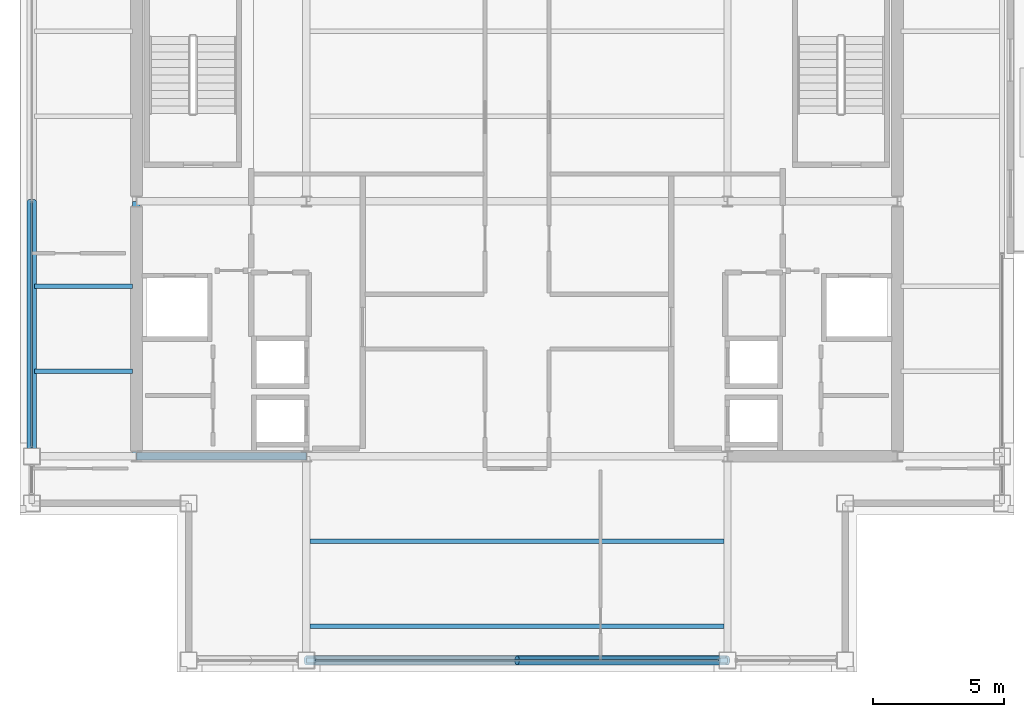
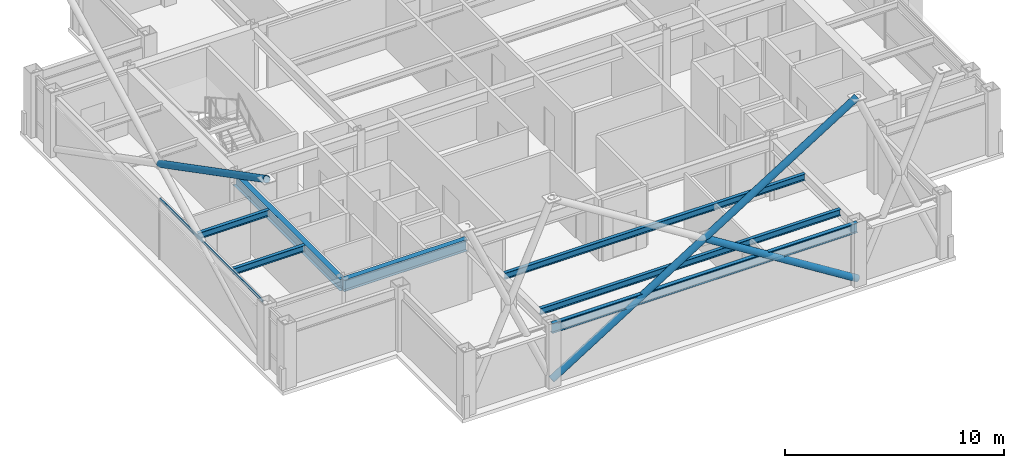
# One storey, part 7 of 28: 7 beams, 5 members, 2 elements without a shape of their own.
"""IFC4 building model written with IfcOpenShell, lengths in metres."""

from ifc_helpers import new_model, si_unit, direction, frame, origin, origin_2d, place, context, subcontext, project, spatial, hollow_rectangle, hollow_circle, i_section, extrude, material, layer, layer_set, material_profile, profile_set, type_object, element, aggregate, save


model = new_model("IFC4")

# Units and contexts
model_context = context("Model", 3, precision=1e-05, world=origin(), true_north=direction((0.0, 1.0)))
body_context = subcontext(model_context, "Body", "Model", "MODEL_VIEW")
ifc_project = project(units=[si_unit("LENGTHUNIT", "METRE"), si_unit("AREAUNIT", "SQUARE_METRE"), si_unit("VOLUMEUNIT", "CUBIC_METRE"), si_unit("PLANEANGLEUNIT", "RADIAN"), si_unit("MASSUNIT", "GRAM", prefix="KILO")], contexts=[model_context])

# Site, building, storey
site_placement = place(None, origin())
site = spatial("IfcSite", under=ifc_project, at=site_placement, CompositionType="ELEMENT")
building_placement = place(site_placement, origin())
building = spatial("IfcBuilding", under=site, at=building_placement, Name="Brelmoor Portico Tower", CompositionType="ELEMENT")
storey_placement = place(building_placement, frame((0.0, 0.0, 225.60009765625)))
storey = spatial("IfcBuildingStorey", under=building, at=storey_placement, Name="L59", CompositionType="ELEMENT", Elevation=225.60009765625)

# Beams
ifc_material_1 = material(Name="Steel Q355B", Category="steel")
ifc_material_profile_1 = material_profile(ifc_material_1, i_section(OverallWidth=0.175048828125, OverallDepth=0.35009765625, WebThickness=0.007080078125, FlangeThickness=0.010986328125, at=origin_2d()), Name="HN 350x175x7x11")
ifc_profile_set_1 = profile_set([ifc_material_profile_1], Name="Steel Q355B")
beam_type_1 = type_object("IfcBeamType", Name="BM-JS-350", PredefinedType="JOIST", material=ifc_profile_set_1)
for number, where, z_axis, x_axis, name in (
    (1, (-7.909912109375, -16.25, 3.224853515625), (1.0, 0.0, 0.0), (0.0, 1.0, 0.0), "L59 Secondary Composite Joist JS-C01"),
    (2, (-7.909912109375, -13.0, 3.224853515625), (1.0, 0.0, 0.0), (0.0, 1.0, 0.0), "L59 Secondary Composite Joist JS-C02"),
):
    element("IfcBeam", number, at=place(storey_placement, frame(where, z_axis=z_axis, x_axis=x_axis)), inside=storey, type_object=beam_type_1, Name=name, PredefinedType="JOIST", context=body_context, shape_type="SweptSolid", body=[
        extrude(i_section(OverallWidth=0.175048828125, OverallDepth=0.35009765625, WebThickness=0.007080078125, FlangeThickness=0.010986328125, at=origin_2d()), origin(), (0.0, 0.0, 1.0), 15.81982421875),
    ])
for number, where, z_axis, x_axis, name in (
    (3, (-18.449951171875, -6.5, 3.224853515625), (1.0, 0.0, 0.0), (0.0, 1.0, 0.0), "L59 Secondary Wing Joist JS-W07"),
    (4, (-18.449951171875, -3.25, 3.224853515625), (1.0, 0.0, 0.0), (0.0, 1.0, 0.0), "L59 Secondary Wing Joist JS-W08"),
):
    element("IfcBeam", number, at=place(storey_placement, frame(where, z_axis=z_axis, x_axis=x_axis)), inside=storey, type_object=beam_type_1, Name=name, PredefinedType="JOIST", context=body_context, shape_type="SweptSolid", body=[
        extrude(i_section(OverallWidth=0.175048828125, OverallDepth=0.35009765625, WebThickness=0.007080078125, FlangeThickness=0.010986328125, at=origin_2d()), origin(), (0.0, 0.0, 1.0), 3.760009765625),
    ])
ifc_material_profile_2 = material_profile(ifc_material_1, i_section(OverallWidth=0.280029296875, OverallDepth=0.64990234375, WebThickness=0.012939453125, FlangeThickness=0.02197265625, at=origin_2d()), Name="HN 650x280x13x22")
ifc_profile_set_2 = profile_set([ifc_material_profile_2], Name="Steel Q355B")
beam_type_2 = type_object("IfcBeamType", Name="BM-PG-650", PredefinedType="BEAM", material=ifc_profile_set_2)
beam_1_placement = place(storey_placement, frame((-14.550048828125, -9.75, 3.074951171875), z_axis=(0.0, 1.0, 0.0), x_axis=(-1.0, 0.0, 0.0)))
element("IfcBeam", 5, at=beam_1_placement, inside=storey, type_object=beam_type_2, Name="L59 Primary Floor Girder PG-01", PredefinedType="BEAM", context=body_context, shape_type="SweptSolid", body=[
    extrude(i_section(OverallWidth=0.280029296875, OverallDepth=0.64990234375, WebThickness=0.012939453125, FlangeThickness=0.02197265625, at=origin_2d()), origin(), (0.0, 0.0, 1.0), 9.75),
])
beam_2_placement = place(storey_placement, frame((-14.550048828125, -9.75, 3.074951171875), z_axis=(1.0, 0.0, 0.0), x_axis=(0.0, 1.0, 0.0)))
element("IfcBeam", 6, at=beam_2_placement, inside=storey, type_object=beam_type_2, Name="L59 Primary Floor Girder PG-12", PredefinedType="BEAM", context=body_context, shape_type="SweptSolid", body=[
    extrude(i_section(OverallWidth=0.280029296875, OverallDepth=0.64990234375, WebThickness=0.012939453125, FlangeThickness=0.02197265625, at=origin_2d()), origin(), (0.0, 0.0, 1.0), 6.5),
])
ifc_material_profile_3 = material_profile(ifc_material_1, i_section(OverallWidth=0.199951171875, OverallDepth=0.550048828125, WebThickness=0.010009765625, FlangeThickness=0.01611328125, at=origin_2d()), Name="HN 550x200x10x16")
ifc_profile_set_3 = profile_set([ifc_material_profile_3], Name="Steel Q355B")
beam_type_3 = type_object("IfcBeamType", Name="BM-SP-550", PredefinedType="SPANDREL", material=ifc_profile_set_3)
beam_3_placement = place(storey_placement, frame((-8.050048828125, -17.550048828125, 3.125), z_axis=(1.0, 0.0, 0.0), x_axis=(0.0, 1.0, 0.0)))
element("IfcBeam", 7, at=beam_3_placement, inside=storey, type_object=beam_type_3, Name="L59 Perimeter Spandrel Beam SP-02", PredefinedType="SPANDREL", context=body_context, shape_type="SweptSolid", body=[
    extrude(i_section(OverallWidth=0.199951171875, OverallDepth=0.550048828125, WebThickness=0.010009765625, FlangeThickness=0.01611328125, at=origin_2d()), origin(), (0.0, 0.0, 1.0), 16.10009765625),
])

# Members
ifc_material_profile_4 = material_profile(ifc_material_1, hollow_circle(Radius=0.177978515625, WallThickness=0.01611328125, at=origin_2d()), Name="CHS 356x16")
ifc_profile_set_4 = profile_set([ifc_material_profile_4], Name="Steel Q355B")
member_type_1 = type_object("IfcMemberType", Name="MB-BELT-DIAG2", PredefinedType="BRACE", material=ifc_profile_set_4)
member_1_placement = place(storey_placement, frame((-8.050048828125, -17.550048828125, 0.25), z_axis=(0.847115258736, 0.0, 0.531409200538), x_axis=(0.0, 1.0, 0.0)))
element("IfcMember", 8, at=member_1_placement, inside=storey, type_object=member_type_1, Name="L59 Continuous Mega-X Brace 134A", PredefinedType="BRACE", context=body_context, shape_type="SweptSolid", body=[
    extrude(hollow_circle(Radius=0.177978515625, WallThickness=0.01611328125, at=origin_2d()), origin(), (0.0, 0.0, 1.0), 19.005859375),
])
member_2_placement = place(storey_placement, frame((8.050048828125, -17.550048828125, 0.25), z_axis=(-0.847121041358, 0.0, 0.531399982393), x_axis=(0.0, -1.0, 0.0)))
element("IfcMember", 9, at=member_2_placement, inside=storey, type_object=member_type_1, Name="L59 Split Mega-X Brace 134B1", PredefinedType="BRACE", context=body_context, shape_type="SweptSolid", body=[
    extrude(hollow_circle(Radius=0.177978515625, WallThickness=0.01611328125, at=origin_2d()), origin(), (0.0, 0.0, 1.0), 9.5029296875),
])
member_3_placement = place(storey_placement, frame((-18.550048828125, 0.0, 5.2998046875), z_axis=(0.0, -0.887959386012, 0.459921872488), x_axis=(1.0, 0.0, 0.0)))
element("IfcMember", 10, at=member_3_placement, inside=storey, type_object=member_type_1, Name="L59 Split Mega-X Brace 138B2", PredefinedType="BRACE", context=body_context, shape_type="SweptSolid", body=[
    extrude(hollow_circle(Radius=0.177978515625, WallThickness=0.01611328125, at=origin_2d()), origin(), (0.0, 0.0, 1.0), 10.980224609375),
])

# Curtain wall, member
ifc_material_2 = material(Name="Anodised Aluminium Alloy 6063-T6", Category="aluminium")
ifc_layer = layer(ifc_material_2, 0.179931640625)
ifc_layer_set = layer_set([ifc_layer], Name="Anodised Aluminium Alloy 6063-T6")
curtain_wall_type = type_object("IfcCurtainWallType", Name="CW-TOWER-Z4-XB", PredefinedType="NOTDEFINED", material=ifc_layer_set)
curtain_wall_1_placement = place(storey_placement, origin())
curtain_wall_1 = element("IfcCurtainWall", 11, at=curtain_wall_1_placement, inside=storey, type_object=curtain_wall_type, Name="L59 Curtain Wall CW-L59-01-2", PredefinedType="NOTDEFINED")
ifc_material_profile_5 = material_profile(ifc_material_2, hollow_rectangle(XDim=0.06005859375, YDim=0.125, WallThickness=0.00341796875, at=origin_2d()), Name="ALU TRANSOM 60x125")
ifc_profile_set_5 = profile_set([ifc_material_profile_5], Name="Anodised Aluminium Alloy 6063-T6")
member_type_2 = type_object("IfcMemberType", Name="MB-CW-TRAN-125", PredefinedType="USERDEFINED", material=ifc_profile_set_5)
member_4_placement = place(storey_placement, frame((-7.715087890625, -17.550048828125, 3.33740234375), z_axis=(1.0, 0.0, 0.0), x_axis=(0.0, 1.0, 0.0)))
member_4 = element("IfcMember", 12, at=member_4_placement, type_object=member_type_2, Name="CW-L59-01-2 Transom 1-00", ObjectType="TRANSOM", PredefinedType="USERDEFINED", context=body_context, shape_type="SweptSolid", body=[
    extrude(hollow_rectangle(XDim=0.06005859375, YDim=0.125, WallThickness=0.00341796875, at=origin_2d()), origin(), (0.0, 0.0, 1.0), 15.43017578125),
])
aggregate(curtain_wall_1, [member_4])

curtain_wall_2_placement = place(storey_placement, origin())
curtain_wall_2 = element("IfcCurtainWall", 13, at=curtain_wall_2_placement, inside=storey, type_object=curtain_wall_type, Name="L59 Curtain Wall CW-L59-03-2", PredefinedType="NOTDEFINED")
member_5_placement = place(storey_placement, frame((-18.550048828125, -9.4150390625, 3.33740234375), z_axis=(0.0, 1.0, 0.0), x_axis=(-1.0, 0.0, 0.0)))
member_5 = element("IfcMember", 14, at=member_5_placement, type_object=member_type_2, Name="CW-L59-03-2 Transom 1-00", ObjectType="TRANSOM", PredefinedType="USERDEFINED", context=body_context, shape_type="SweptSolid", body=[
    extrude(hollow_rectangle(XDim=0.06005859375, YDim=0.125, WallThickness=0.00341796875, at=origin_2d()), origin(), (0.0, 0.0, 1.0), 9.4150390625),
])
aggregate(curtain_wall_2, [member_5])

save(model, "model.ifc")
